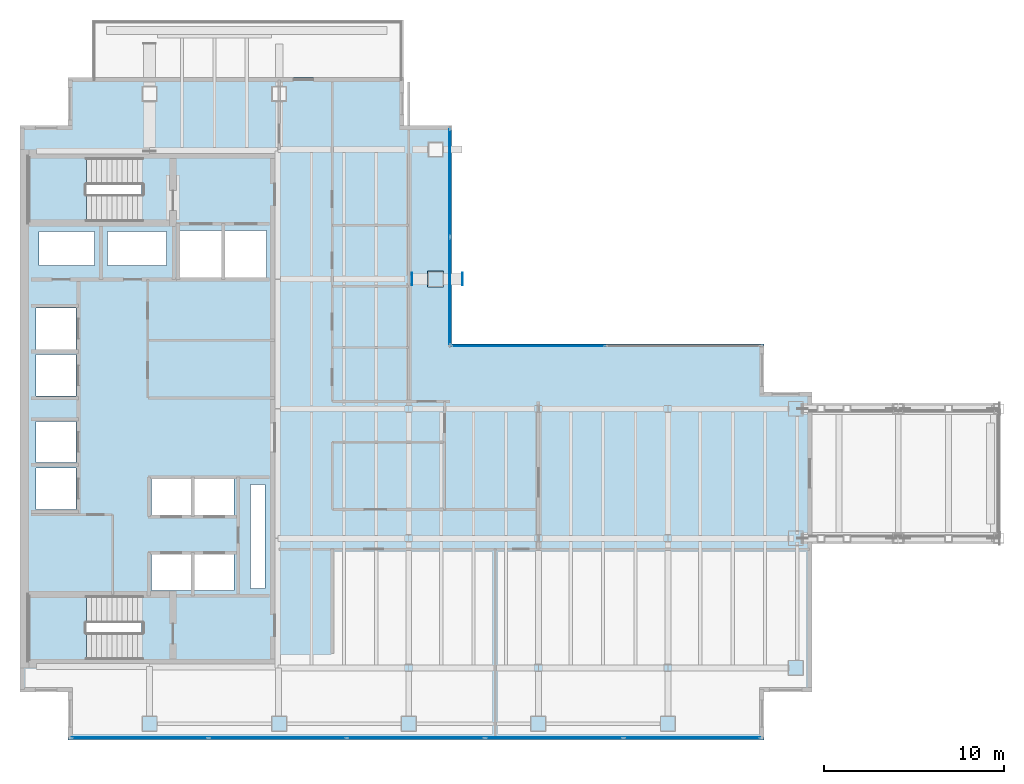
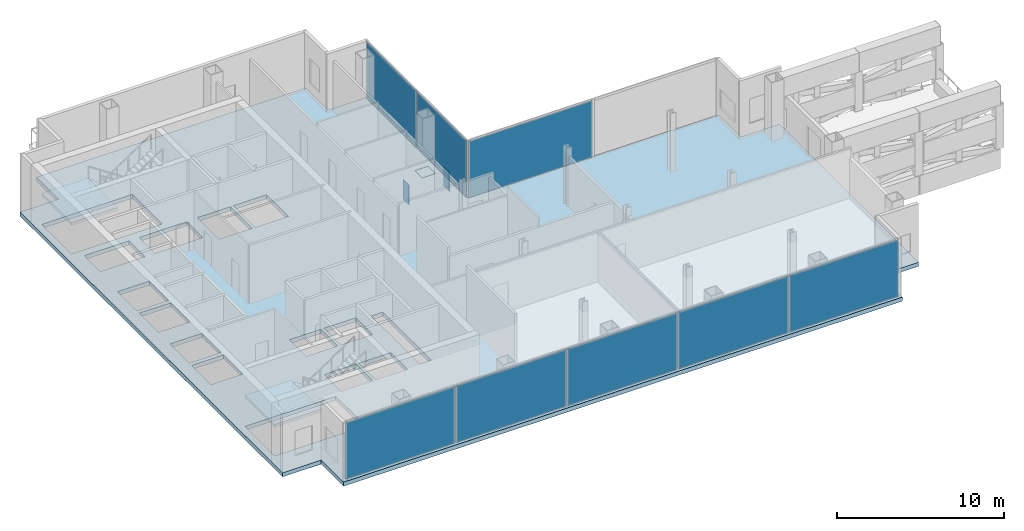
# One storey, part 13 of 20: 11 plates, 3 slabs, 15 openings, 5 elements without a shape of their own.
"""IFC4 building model written with IfcOpenShell, lengths in metres."""

from ifc_helpers import new_model, si_unit, direction, frame, origin, origin_2d, place, context, subcontext, project, spatial, polyline, rectangle, outline, extrude, material, layer, layer_set, type_object, element, aggregate, save


model = new_model("IFC4")

# Units and contexts
model_context = context("Model", 3, precision=1e-05, world=origin(), true_north=direction((0.0, 1.0)))
body_context = subcontext(model_context, "Body", "Model", "MODEL_VIEW")
ifc_project = project(units=[si_unit("LENGTHUNIT", "METRE"), si_unit("AREAUNIT", "SQUARE_METRE"), si_unit("VOLUMEUNIT", "CUBIC_METRE"), si_unit("PLANEANGLEUNIT", "RADIAN"), si_unit("MASSUNIT", "GRAM", prefix="KILO")], contexts=[model_context])

# Site, building, storey
site_placement = place(None, origin())
site = spatial("IfcSite", under=ifc_project, at=site_placement, CompositionType="ELEMENT")
building_placement = place(site_placement, origin())
building = spatial("IfcBuilding", under=site, at=building_placement, Name="Cobrela Telecom Tower", CompositionType="ELEMENT")
storey_placement = place(building_placement, frame((0.0, 0.0, 168.699951171875)))
storey = spatial("IfcBuildingStorey", under=building, at=storey_placement, Name="L42", CompositionType="ELEMENT", Elevation=168.699951171875)

# Curtain wall, plates
ifc_material_1 = material(Name="Anodized Bronze Aluminium 6063-T6", Category="aluminium")
curtain_wall_type = type_object("IfcCurtainWallType", Name="CW-SYS-SKY", PredefinedType="USERDEFINED", material=ifc_material_1)
curtain_wall_1_placement = place(storey_placement, origin())
curtain_wall_1 = element("IfcCurtainWall", 1, at=curtain_wall_1_placement, inside=storey, type_object=curtain_wall_type, Name="L42 Unitised Bronze Curtain Wall 10", ObjectType="UNITISED CURTAIN WALL", PredefinedType="USERDEFINED")
ifc_material_2 = material(Name="Solar-Control Bronze Low-E Glass", Category="glass")
ifc_layer_1 = layer(ifc_material_2, 0.0400390625)
ifc_layer_set_1 = layer_set([ifc_layer_1], Name="Solar-Control Bronze Low-E Glass")
plate_type_1 = type_object("IfcPlateType", Name="CW-SYS-SKY-PNL", PredefinedType="CURTAIN_PANEL", material=ifc_layer_set_1)
plate_1_placement = place(storey_placement, frame((23.8798828125, 34.157470703125, 0.0751953125), z_axis=(0.0, 0.0, 1.0), x_axis=(0.0, -1.0, 0.0)))
plate_1 = element("IfcPlate", 2, at=plate_1_placement, type_object=plate_type_1, Name="CW-SKY panel 1.1", PredefinedType="CURTAIN_PANEL", context=body_context, shape_type="SweptSolid", body=[
    extrude(rectangle(XDim=5.945068359375, YDim=0.0400390625, at=origin_2d()), origin(), (0.0, 0.0, 1.0), 4.139892578125),
])
plate_2_placement = place(storey_placement, frame((23.8798828125, 28.132568359375, 0.0751953125), z_axis=(0.0, 0.0, 1.0), x_axis=(0.0, -1.0, 0.0)))
plate_2 = element("IfcPlate", 3, at=plate_2_placement, type_object=plate_type_1, Name="CW-SKY panel 2.1", PredefinedType="CURTAIN_PANEL", context=body_context, shape_type="SweptSolid", body=[
    extrude(rectangle(XDim=5.945068359375, YDim=0.0400390625, at=origin_2d()), origin(), (0.0, 0.0, 1.0), 4.139892578125),
])
aggregate(curtain_wall_1, [plate_1, plate_2])

# Curtain wall, plate
curtain_wall_2_placement = place(storey_placement, origin())
curtain_wall_2 = element("IfcCurtainWall", 4, at=curtain_wall_2_placement, inside=storey, type_object=curtain_wall_type, Name="L42 Unitised Bronze Curtain Wall 11", ObjectType="UNITISED CURTAIN WALL", PredefinedType="USERDEFINED")
plate_3_placement = place(storey_placement, frame((28.232421875, 25.080078125, 0.0751953125), z_axis=(0.0, 0.0, 1.0), x_axis=(1.0, 0.0, 0.0)))
plate_3 = element("IfcPlate", 5, at=plate_3_placement, type_object=plate_type_1, Name="CW-SKY panel 1.1", PredefinedType="CURTAIN_PANEL", context=body_context, shape_type="SweptSolid", body=[
    extrude(rectangle(XDim=8.544921875, YDim=0.0400390625, at=origin_2d()), origin(), (0.0, 0.0, 1.0), 4.139892578125),
])
aggregate(curtain_wall_2, [plate_3])

# Curtain wall, plates
curtain_wall_3_placement = place(storey_placement, origin())
curtain_wall_3 = element("IfcCurtainWall", 6, at=curtain_wall_3_placement, inside=storey, type_object=curtain_wall_type, Name="L42 Unitised Bronze Curtain Wall 17", ObjectType="UNITISED CURTAIN WALL", PredefinedType="USERDEFINED")
plate_4_placement = place(storey_placement, frame((37.347900390625, 3.320068359375, 0.0751953125), z_axis=(0.0, 0.0, 1.0), x_axis=(-1.0, 0.0, 0.0)))
plate_4 = element("IfcPlate", 7, at=plate_4_placement, type_object=plate_type_1, Name="CW-SKY panel 1.1", PredefinedType="CURTAIN_PANEL", context=body_context, shape_type="SweptSolid", body=[
    extrude(rectangle(XDim=7.56396484375, YDim=0.0400390625, at=origin_2d()), origin(), (0.0, 0.0, 1.0), 4.139892578125),
])
plate_5_placement = place(storey_placement, frame((29.68408203125, 3.320068359375, 0.0751953125), z_axis=(0.0, 0.0, 1.0), x_axis=(-1.0, 0.0, 0.0)))
plate_5 = element("IfcPlate", 8, at=plate_5_placement, type_object=plate_type_1, Name="CW-SKY panel 2.1", PredefinedType="CURTAIN_PANEL", context=body_context, shape_type="SweptSolid", body=[
    extrude(rectangle(XDim=7.60400390625, YDim=0.0400390625, at=origin_2d()), origin(), (0.0, 0.0, 1.0), 4.139892578125),
])
plate_6_placement = place(storey_placement, frame((22.0, 3.320068359375, 0.0751953125), z_axis=(0.0, 0.0, 1.0), x_axis=(-1.0, 0.0, 0.0)))
plate_6 = element("IfcPlate", 9, at=plate_6_placement, type_object=plate_type_1, Name="CW-SKY panel 3.1", PredefinedType="CURTAIN_PANEL", context=body_context, shape_type="SweptSolid", body=[
    extrude(rectangle(XDim=7.60400390625, YDim=0.0400390625, at=origin_2d()), origin(), (0.0, 0.0, 1.0), 4.139892578125),
])
plate_7_placement = place(storey_placement, frame((14.31591796875, 3.320068359375, 0.0751953125), z_axis=(0.0, 0.0, 1.0), x_axis=(-1.0, 0.0, 0.0)))
plate_7 = element("IfcPlate", 10, at=plate_7_placement, type_object=plate_type_1, Name="CW-SKY panel 4.1", PredefinedType="CURTAIN_PANEL", context=body_context, shape_type="SweptSolid", body=[
    extrude(rectangle(XDim=7.60400390625, YDim=0.0400390625, at=origin_2d()), origin(), (0.0, 0.0, 1.0), 4.139892578125),
])
plate_8_placement = place(storey_placement, frame((6.652099609375, 3.320068359375, 0.0751953125), z_axis=(0.0, 0.0, 1.0), x_axis=(-1.0, 0.0, 0.0)))
plate_8 = element("IfcPlate", 11, at=plate_8_placement, type_object=plate_type_1, Name="CW-SKY panel 5.1", PredefinedType="CURTAIN_PANEL", context=body_context, shape_type="SweptSolid", body=[
    extrude(rectangle(XDim=7.56396484375, YDim=0.0400390625, at=origin_2d()), origin(), (0.0, 0.0, 1.0), 4.139892578125),
])
aggregate(curtain_wall_3, [plate_4, plate_5, plate_6, plate_7, plate_8])

# Plates
ifc_material_3 = material(Name="Steel ASTM A572 Grade 50", Category="steel")
ifc_layer_2 = layer(ifc_material_3, 0.044921875)
ifc_layer_set_2 = layer_set([ifc_layer_2], Name="Steel ASTM A572 Grade 50")
plate_type_2 = type_object("IfcPlateType", Name="PLT-END-CAP-45", PredefinedType="SHEET", material=ifc_layer_set_2)
plate_9_placement = place(storey_placement, frame((23.10009765625, 28.800048828125, -0.04248046875), z_axis=(0.0, 0.0, 1.0), x_axis=(1.0, 0.0, 0.0)))
element("IfcPlate", 12, at=plate_9_placement, inside=storey, type_object=plate_type_2, Name="L42 Stepped Column Base Cap Plate 72", PredefinedType="SHEET", context=body_context, shape_type="SweptSolid", body=[
    extrude(rectangle(XDim=0.889892578125, YDim=0.889892578125, at=origin_2d()), origin(), (0.0, 0.0, 1.0), 0.044921875),
])
ifc_layer_3 = layer(ifc_material_3, 0.0458984375)
ifc_layer_set_3 = layer_set([ifc_layer_3], Name="Steel ASTM A572 Grade 50")
plate_type_3 = type_object("IfcPlateType", Name="PLT-NODE-ND3", PredefinedType="USERDEFINED", material=ifc_layer_set_3)
for number, where, z_axis, x_axis, name in (
    (13, (21.784423828125, 28.800048828125, -1.719970703125), (0.0, 0.0, 1.0), (1.0, 0.0, 0.0), "Steel node plate PLT-BM-L42-BM-TRG-1400-X-288-218-C0"),
    (14, (24.590087890625, 28.800048828125, -1.719970703125), (0.0, 0.0, 1.0), (1.0, 0.0, 0.0), "Steel node plate PLT-BM-L42-BM-TRG-1400-X-288-218-C1"),
):
    element("IfcPlate", number, at=place(storey_placement, frame(where, z_axis=z_axis, x_axis=x_axis)), inside=storey, type_object=plate_type_3, Name=name, ObjectType="GUSSET PLATE", PredefinedType="USERDEFINED", context=body_context, shape_type="SweptSolid", body=[
        extrude(rectangle(XDim=0.044921875, YDim=0.68994140625, at=origin_2d()), origin(), (0.0, 0.0, 1.0), 1.43994140625),
    ])

# Slab, openings
ifc_material_4 = material(Name="Concrete C40/50", Category="concrete")
ifc_layer_4 = layer(ifc_material_4, 0.300048828125)
ifc_layer_set_4 = layer_set([ifc_layer_4], Name="Concrete C40/50")
slab_type_1 = type_object("IfcSlabType", Name="SLAB-FLR-300", PredefinedType="FLOOR", material=ifc_layer_set_4)
slab_1_placement = place(storey_placement, frame((0.0, 0.0, -0.300048828125)))
slab_1 = element("IfcSlab", 15, at=slab_1_placement, inside=storey, type_object=slab_type_1, Name="L42 Structural Floor Slab", PredefinedType="FLOOR", context=body_context, shape_type="SweptSolid", body=[
    extrude(outline(polyline([(2.669921875, 3.199951171875), (41.330078125, 3.199951171875), (41.330078125, 5.8701171875), (44.0, 5.8701171875), (44.0, 22.530029296875), (41.330078125, 22.530029296875), (41.330078125, 25.199951171875), (24.0, 25.199951171875), (24.0, 37.330078125), (21.330078125, 37.330078125), (21.330078125, 40.0), (2.669921875, 40.0), (2.669921875, 37.330078125), (0.0, 37.330078125), (0.0, 5.8701171875), (2.669921875, 5.8701171875), (2.669921875, 3.199951171875)])), origin(), (0.0, 0.0, 1.0), 0.300048828125),
])
opening_1_placement = place(slab_1_placement, frame((0.0, 0.0, -0.02001953125)))
element("IfcOpeningElement", 16, at=opening_1_placement, cuts=slab_1, Name="Slab Shaft Opening SLAB-L42-MAIN.1", PredefinedType="OPENING", context=body_context, shape_type="SweptSolid", body=[
    extrude(outline(polyline([(8.89990234375, 28.89990234375), (11.199951171875, 28.89990234375), (11.199951171875, 31.5), (8.89990234375, 31.5), (8.89990234375, 28.89990234375)])), origin(), (0.0, 0.0, 1.0), 0.340087890625),
])
opening_2_placement = place(slab_1_placement, frame((0.0, 0.0, -0.02001953125)))
element("IfcOpeningElement", 17, at=opening_2_placement, cuts=slab_1, Name="Slab Shaft Opening SLAB-L42-MAIN.2", PredefinedType="OPENING", context=body_context, shape_type="SweptSolid", body=[
    extrude(outline(polyline([(11.39990234375, 28.89990234375), (13.699951171875, 28.89990234375), (13.699951171875, 31.5), (11.39990234375, 31.5), (11.39990234375, 28.89990234375)])), origin(), (0.0, 0.0, 1.0), 0.340087890625),
])
opening_3_placement = place(slab_1_placement, frame((0.0, 0.0, -0.02001953125)))
element("IfcOpeningElement", 18, at=opening_3_placement, cuts=slab_1, Name="Slab Shaft Opening SLAB-L42-MAIN.3", PredefinedType="OPENING", context=body_context, shape_type="SweptSolid", body=[
    extrude(outline(polyline([(7.300048828125, 15.699951171875), (9.5, 15.699951171875), (9.5, 17.699951171875), (7.300048828125, 17.699951171875), (7.300048828125, 15.699951171875)])), origin(), (0.0, 0.0, 1.0), 0.340087890625),
])
opening_4_placement = place(slab_1_placement, frame((0.0, 0.0, -0.02001953125)))
element("IfcOpeningElement", 19, at=opening_4_placement, cuts=slab_1, Name="Slab Shaft Opening SLAB-L42-MAIN.4", PredefinedType="OPENING", context=body_context, shape_type="SweptSolid", body=[
    extrude(outline(polyline([(9.699951171875, 15.699951171875), (11.89990234375, 15.699951171875), (11.89990234375, 17.699951171875), (9.699951171875, 17.699951171875), (9.699951171875, 15.699951171875)])), origin(), (0.0, 0.0, 1.0), 0.340087890625),
])
opening_5_placement = place(slab_1_placement, frame((0.0, 0.0, -0.02001953125)))
element("IfcOpeningElement", 20, at=opening_5_placement, cuts=slab_1, Name="Slab Shaft Opening SLAB-L42-MAIN.5", PredefinedType="OPENING", context=body_context, shape_type="SweptSolid", body=[
    extrude(outline(polyline([(7.300048828125, 11.5), (9.5, 11.5), (9.5, 13.5), (7.300048828125, 13.5), (7.300048828125, 11.5)])), origin(), (0.0, 0.0, 1.0), 0.340087890625),
])
opening_6_placement = place(slab_1_placement, frame((0.0, 0.0, -0.02001953125)))
element("IfcOpeningElement", 21, at=opening_6_placement, cuts=slab_1, Name="Slab Shaft Opening SLAB-L42-MAIN.6", PredefinedType="OPENING", context=body_context, shape_type="SweptSolid", body=[
    extrude(outline(polyline([(9.699951171875, 11.5), (11.89990234375, 11.5), (11.89990234375, 13.5), (9.699951171875, 13.5), (9.699951171875, 11.5)])), origin(), (0.0, 0.0, 1.0), 0.340087890625),
])
opening_7_placement = place(slab_1_placement, frame((0.0, 0.0, -0.02001953125)))
element("IfcOpeningElement", 22, at=opening_7_placement, cuts=slab_1, Name="Slab Shaft Opening SLAB-L42-MAIN.7", PredefinedType="OPENING", context=body_context, shape_type="SweptSolid", body=[
    extrude(outline(polyline([(0.89990234375, 16.0), (3.10009765625, 16.0), (3.10009765625, 18.300048828125), (0.89990234375, 18.300048828125), (0.89990234375, 16.0)])), origin(), (0.0, 0.0, 1.0), 0.340087890625),
])
opening_8_placement = place(slab_1_placement, frame((0.0, 0.0, -0.02001953125)))
element("IfcOpeningElement", 23, at=opening_8_placement, cuts=slab_1, Name="Slab Shaft Opening SLAB-L42-MAIN.8", PredefinedType="OPENING", context=body_context, shape_type="SweptSolid", body=[
    extrude(outline(polyline([(0.89990234375, 18.60009765625), (3.10009765625, 18.60009765625), (3.10009765625, 20.89990234375), (0.89990234375, 20.89990234375), (0.89990234375, 18.60009765625)])), origin(), (0.0, 0.0, 1.0), 0.340087890625),
])
opening_9_placement = place(slab_1_placement, frame((0.0, 0.0, -0.02001953125)))
element("IfcOpeningElement", 24, at=opening_9_placement, cuts=slab_1, Name="Slab Shaft Opening SLAB-L42-MAIN.9", PredefinedType="OPENING", context=body_context, shape_type="SweptSolid", body=[
    extrude(outline(polyline([(0.89990234375, 22.300048828125), (3.10009765625, 22.300048828125), (3.10009765625, 24.60009765625), (0.89990234375, 24.60009765625), (0.89990234375, 22.300048828125)])), origin(), (0.0, 0.0, 1.0), 0.340087890625),
])
opening_10_placement = place(slab_1_placement, frame((0.0, 0.0, -0.02001953125)))
element("IfcOpeningElement", 25, at=opening_10_placement, cuts=slab_1, Name="Slab Shaft Opening SLAB-L42-MAIN.10", PredefinedType="OPENING", context=body_context, shape_type="SweptSolid", body=[
    extrude(outline(polyline([(0.89990234375, 24.89990234375), (3.10009765625, 24.89990234375), (3.10009765625, 27.199951171875), (0.89990234375, 27.199951171875), (0.89990234375, 24.89990234375)])), origin(), (0.0, 0.0, 1.0), 0.340087890625),
])
opening_11_placement = place(slab_1_placement, frame((0.0, 0.0, -0.02001953125)))
element("IfcOpeningElement", 26, at=opening_11_placement, cuts=slab_1, Name="Slab Shaft Opening SLAB-L42-MAIN.11", PredefinedType="OPENING", context=body_context, shape_type="SweptSolid", body=[
    extrude(outline(polyline([(1.050048828125, 29.550048828125), (4.14990234375, 29.550048828125), (4.14990234375, 31.449951171875), (1.050048828125, 31.449951171875), (1.050048828125, 29.550048828125)])), origin(), (0.0, 0.0, 1.0), 0.340087890625),
])
opening_12_placement = place(slab_1_placement, frame((0.0, 0.0, -0.02001953125)))
element("IfcOpeningElement", 27, at=opening_12_placement, cuts=slab_1, Name="Slab Shaft Opening SLAB-L42-MAIN.12", PredefinedType="OPENING", context=body_context, shape_type="SweptSolid", body=[
    extrude(outline(polyline([(4.85009765625, 29.550048828125), (8.14990234375, 29.550048828125), (8.14990234375, 31.449951171875), (4.85009765625, 31.449951171875), (4.85009765625, 29.550048828125)])), origin(), (0.0, 0.0, 1.0), 0.340087890625),
])
opening_13_placement = place(slab_1_placement, frame((0.0, 0.0, -0.02001953125)))
element("IfcOpeningElement", 28, at=opening_13_placement, cuts=slab_1, Name="Slab Shaft Opening SLAB-L42-MAIN.13", PredefinedType="OPENING", context=body_context, shape_type="SweptSolid", body=[
    extrude(outline(polyline([(12.800048828125, 11.60009765625), (13.60009765625, 11.60009765625), (13.60009765625, 17.39990234375), (12.800048828125, 17.39990234375), (12.800048828125, 11.60009765625)])), origin(), (0.0, 0.0, 1.0), 0.340087890625),
])
opening_14_placement = place(slab_1_placement, frame((0.0, 0.0, -0.02001953125)))
element("IfcOpeningElement", 29, at=opening_14_placement, cuts=slab_1, Name="Slab Shaft Opening SLAB-L42-MAIN.14", PredefinedType="OPENING", context=body_context, shape_type="SweptSolid", body=[
    extrude(outline(polyline([(6.7548828125, 35.550048828125), (0.47998046875, 35.550048828125), (0.47998046875, 32.0), (6.7548828125, 32.0), (6.7548828125, 35.550048828125)])), origin(), (0.0, 0.0, 1.0), 0.340087890625),
])
opening_15_placement = place(slab_1_placement, frame((0.0, 0.0, -0.02001953125)))
element("IfcOpeningElement", 30, at=opening_15_placement, cuts=slab_1, Name="Slab Shaft Opening SLAB-L42-MAIN.15", PredefinedType="OPENING", context=body_context, shape_type="SweptSolid", body=[
    extrude(outline(polyline([(6.7548828125, 11.199951171875), (0.47998046875, 11.199951171875), (0.47998046875, 7.64990234375), (6.7548828125, 7.64990234375), (6.7548828125, 11.199951171875)])), origin(), (0.0, 0.0, 1.0), 0.340087890625),
])

# Stair, slab
stair_type = type_object("IfcStairType", Name="STAIR-CORE", PredefinedType="HALF_TURN_STAIR", material=ifc_material_4)
stair_1_placement = place(storey_placement, origin())
stair_1 = element("IfcStair", 31, at=stair_1_placement, inside=storey, type_object=stair_type, Name="L42 Smokeproof Exit Stair ST1", PredefinedType="HALF_TURN_STAIR")
ifc_layer_5 = layer(ifc_material_4, 0.199951171875)
ifc_layer_set_5 = layer_set([ifc_layer_5], Name="Concrete C40/50")
slab_type_2 = type_object("IfcSlabType", Name="SLAB-LAND-200", PredefinedType="LANDING", material=ifc_layer_set_5)
slab_2_placement = place(storey_placement, frame((0.0, 0.0, 2.074951171875)))
slab_2 = element("IfcSlab", 32, at=slab_2_placement, type_object=slab_type_2, Name="ST1 landing 1", PredefinedType="LANDING", context=body_context, shape_type="SweptSolid", body=[
    extrude(outline(polyline([(3.68505859375, 35.550048828125), (0.47998046875, 35.550048828125), (0.47998046875, 32.0), (3.68505859375, 32.0), (3.68505859375, 35.550048828125)])), origin(), (0.0, 0.0, 1.0), 0.2001953125),
])
aggregate(stair_1, [slab_2])

stair_2_placement = place(storey_placement, origin())
stair_2 = element("IfcStair", 33, at=stair_2_placement, inside=storey, type_object=stair_type, Name="L42 Smokeproof Exit Stair ST2", PredefinedType="HALF_TURN_STAIR")
slab_3_placement = place(storey_placement, frame((0.0, 0.0, 2.074951171875)))
slab_3 = element("IfcSlab", 34, at=slab_3_placement, type_object=slab_type_2, Name="ST2 landing 1", PredefinedType="LANDING", context=body_context, shape_type="SweptSolid", body=[
    extrude(outline(polyline([(3.68505859375, 11.199951171875), (0.47998046875, 11.199951171875), (0.47998046875, 7.64990234375), (3.68505859375, 7.64990234375), (3.68505859375, 11.199951171875)])), origin(), (0.0, 0.0, 1.0), 0.2001953125),
])
aggregate(stair_2, [slab_3])

save(model, "model.ifc")
